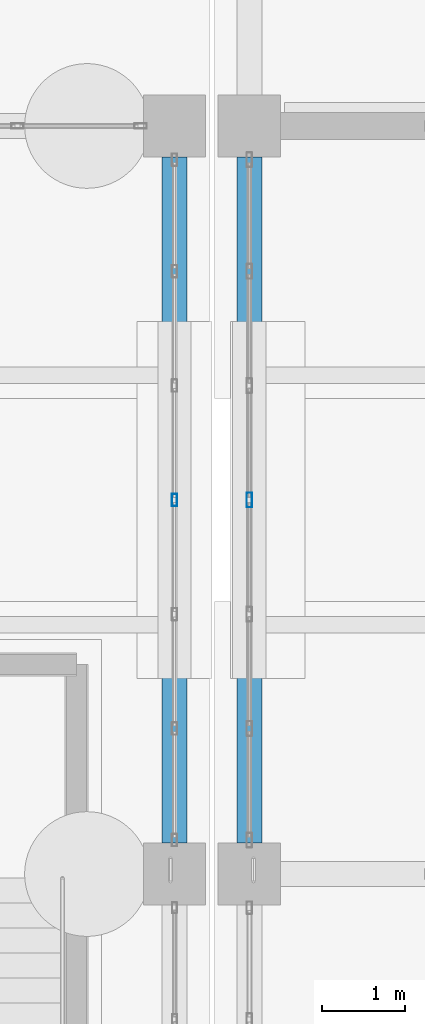
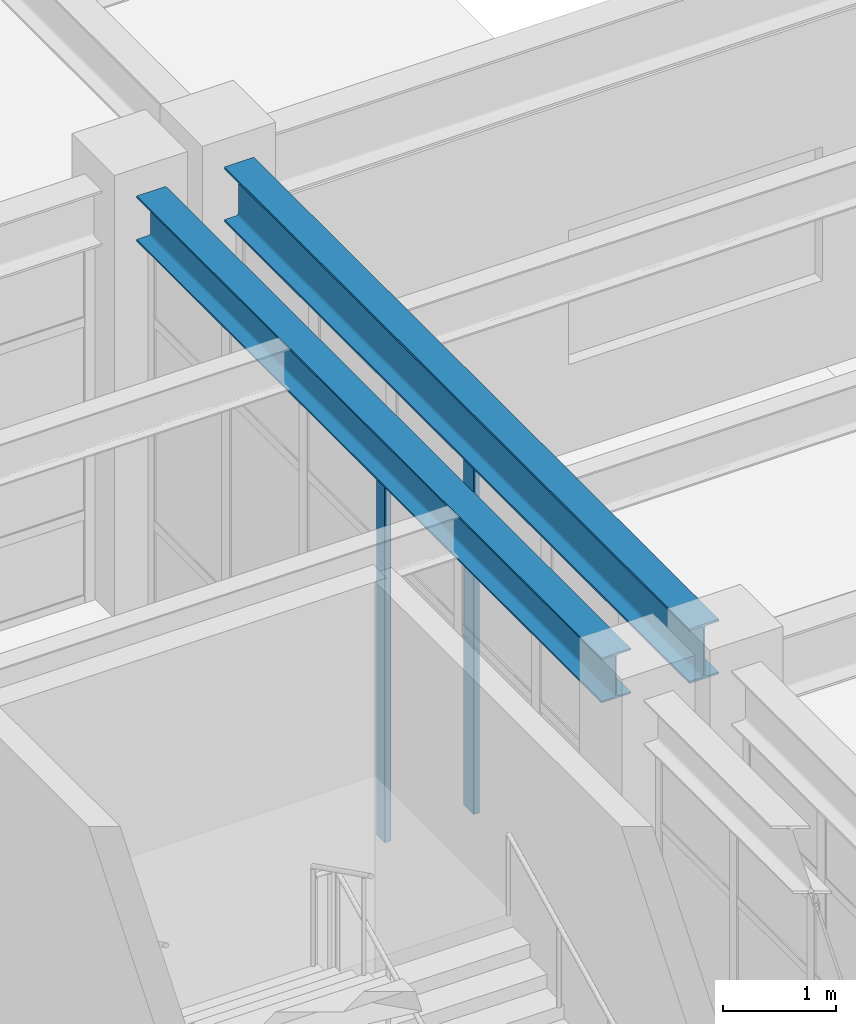
# One storey, part 80 of 139: 2 beams, 2 members, 2 elements without a shape of their own.
"""IFC4 building model written with IfcOpenShell, lengths in metres."""

from ifc_helpers import new_model, si_unit, direction, frame, origin, origin_2d, place, context, subcontext, project, spatial, hollow_rectangle, i_section, extrude, material, material_profile, profile_set, type_object, element, aggregate, save


model = new_model("IFC4")

# Units and contexts
model_context = context("Model", 3, precision=1e-05, world=origin(), true_north=direction((0.0, 1.0)))
body_context = subcontext(model_context, "Body", "Model", "MODEL_VIEW")
ifc_project = project(units=[si_unit("LENGTHUNIT", "METRE"), si_unit("AREAUNIT", "SQUARE_METRE"), si_unit("VOLUMEUNIT", "CUBIC_METRE"), si_unit("PLANEANGLEUNIT", "RADIAN"), si_unit("MASSUNIT", "GRAM", prefix="KILO")], contexts=[model_context])

# Site, building, storey
site_placement = place(None, origin())
site = spatial("IfcSite", under=ifc_project, at=site_placement, CompositionType="ELEMENT")
building_placement = place(site_placement, origin())
building = spatial("IfcBuilding", under=site, at=building_placement, Name="Canglan Escarpment Cableway Terminal", CompositionType="ELEMENT")
storey_placement = place(building_placement, frame((0.0, 0.0, 14.39990234375)))
storey = spatial("IfcBuildingStorey", under=building, at=storey_placement, Name="L03", CompositionType="ELEMENT", Elevation=14.39990234375)

# Beams
ifc_material_1 = material(Name="Steel Q355B", Category="steel")
ifc_material_profile_1 = material_profile(ifc_material_1, i_section(OverallWidth=0.300048828125, OverallDepth=0.488037109375, WebThickness=0.010986328125, FlangeThickness=0.01806640625, FilletRadius=0.02587890625, at=origin_2d()), Name="HM 488x300x11x18")
ifc_profile_set_1 = profile_set([ifc_material_profile_1], Name="Steel Q355B")
beam_type_1 = type_object("IfcBeamType", Name="BM-HM488", PredefinedType="BEAM", material=ifc_profile_set_1)
beam_1_placement = place(storey_placement, frame((136.699951171875, 106.375, 4.256103515625), z_axis=(0.0, 1.0, 0.0), x_axis=(-1.0, 0.0, 0.0)))
element("IfcBeam", 1, at=beam_1_placement, inside=storey, type_object=beam_type_1, Name="Primary transverse girder B-09", PredefinedType="BEAM", context=body_context, shape_type="SweptSolid", body=[
    extrude(i_section(OverallWidth=0.300048828125, OverallDepth=0.488037109375, WebThickness=0.010986328125, FlangeThickness=0.01806640625, FilletRadius=0.02587890625, at=origin_2d()), origin(), (0.0, 0.0, 1.0), 8.25),
])
ifc_material_2 = material(Name="Steel Q355C", Category="steel")
ifc_material_profile_2 = material_profile(ifc_material_2, i_section(OverallWidth=0.302001953125, OverallDepth=0.593994140625, WebThickness=0.013916015625, FlangeThickness=0.02294921875, FilletRadius=0.028076171875, at=origin_2d()), Name="HM 594x302x14x23")
ifc_profile_set_2 = profile_set([ifc_material_profile_2], Name="Steel Q355C")
beam_type_2 = type_object("IfcBeamType", Name="BM-HM594", PredefinedType="BEAM", material=ifc_profile_set_2)
beam_2_placement = place(storey_placement, frame((137.60009765625, 106.375, 4.203125), z_axis=(0.0, 1.0, 0.0), x_axis=(-1.0, 0.0, 0.0)))
element("IfcBeam", 2, at=beam_2_placement, inside=storey, type_object=beam_type_2, Name="Primary transverse girder B-07", PredefinedType="BEAM", context=body_context, shape_type="SweptSolid", body=[
    extrude(i_section(OverallWidth=0.302001953125, OverallDepth=0.593994140625, WebThickness=0.013916015625, FlangeThickness=0.02294921875, FilletRadius=0.028076171875, at=origin_2d()), origin(), (0.0, 0.0, 1.0), 8.25),
])

# Curtain wall, member
ifc_material_3 = material(Name="Anodized bronze aluminium and Low-E double glazing", Category="aluminium")
curtain_wall_type_1 = type_object("IfcCurtainWallType", Name="CW-BAY-8250x4000", PredefinedType="NOTDEFINED", material=ifc_material_3)
curtain_wall_1_placement = place(storey_placement, origin())
curtain_wall_1 = element("IfcCurtainWall", 3, at=curtain_wall_1_placement, inside=storey, type_object=curtain_wall_type_1, Name="Classical bay-between-piers glazed curtain wall CW-48", PredefinedType="NOTDEFINED")
ifc_material_4 = material(Name="Thermally broken anodized aluminium 6063-T6", Category="aluminium")
ifc_material_profile_3 = material_profile(ifc_material_4, hollow_rectangle(XDim=0.06494140625, YDim=0.14990234375, WallThickness=0.00341796875, InnerFilletRadius=0.00341796875, OuterFilletRadius=0.007080078125, at=origin_2d()), Name="ALU-MULL 65x150x3.5")
ifc_profile_set_3 = profile_set([ifc_material_profile_3], Name="Thermally broken anodized aluminium 6063-T6")
member_type_1 = type_object("IfcMemberType", Name="CWM-02", PredefinedType="MULLION", material=ifc_profile_set_3)
member_1_placement = place(storey_placement, frame((136.699951171875, 110.5, 0.0), z_axis=(0.0, 0.0, 1.0), x_axis=(-1.0, 0.0, 0.0)))
member_1 = element("IfcMember", 4, at=member_1_placement, type_object=member_type_1, Name="CW-48 mullion 4", PredefinedType="MULLION", context=body_context, shape_type="SweptSolid", body=[
    extrude(hollow_rectangle(XDim=0.06494140625, YDim=0.14990234375, WallThickness=0.00341796875, InnerFilletRadius=0.00341796875, OuterFilletRadius=0.007080078125, at=origin_2d()), origin(), (0.0, 0.0, 1.0), 3.9970703125),
])
aggregate(curtain_wall_1, [member_1])

curtain_wall_type_2 = type_object("IfcCurtainWallType", Name="CW-BAY-8250x3900", PredefinedType="NOTDEFINED", material=ifc_material_3)
curtain_wall_2_placement = place(storey_placement, origin())
curtain_wall_2 = element("IfcCurtainWall", 5, at=curtain_wall_2_placement, inside=storey, type_object=curtain_wall_type_2, Name="Classical bay-between-piers glazed curtain wall CW-62", PredefinedType="NOTDEFINED")
ifc_material_profile_4 = material_profile(ifc_material_4, hollow_rectangle(XDim=0.06494140625, YDim=0.179931640625, WallThickness=0.00390625, InnerFilletRadius=0.00390625, OuterFilletRadius=0.008056640625, at=origin_2d()), Name="ALU-MULL 65x180x4")
ifc_profile_set_4 = profile_set([ifc_material_profile_4], Name="Thermally broken anodized aluminium 6063-T6")
member_type_2 = type_object("IfcMemberType", Name="CWM-03", PredefinedType="MULLION", material=ifc_profile_set_4)
member_2_placement = place(storey_placement, frame((137.60009765625, 110.5, 0.0), z_axis=(0.0, 0.0, 1.0), x_axis=(1.0, 0.0, 0.0)))
member_2 = element("IfcMember", 6, at=member_2_placement, type_object=member_type_2, Name="CW-62 mullion 4", PredefinedType="MULLION", context=body_context, shape_type="SweptSolid", body=[
    extrude(hollow_rectangle(XDim=0.06494140625, YDim=0.179931640625, WallThickness=0.00390625, InnerFilletRadius=0.00390625, OuterFilletRadius=0.008056640625, at=origin_2d()), origin(), (0.0, 0.0, 1.0), 3.89111328125),
])
aggregate(curtain_wall_2, [member_2])

save(model, "model.ifc")
